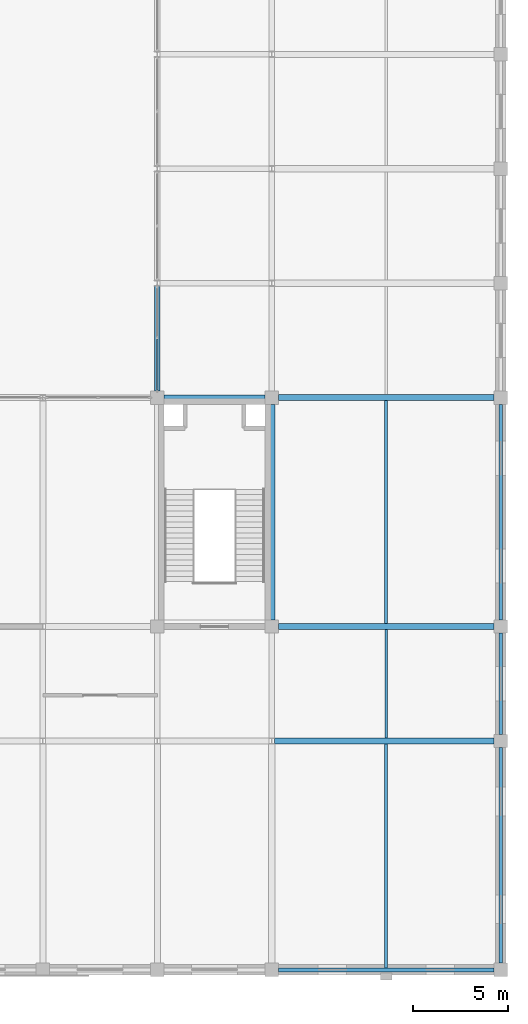
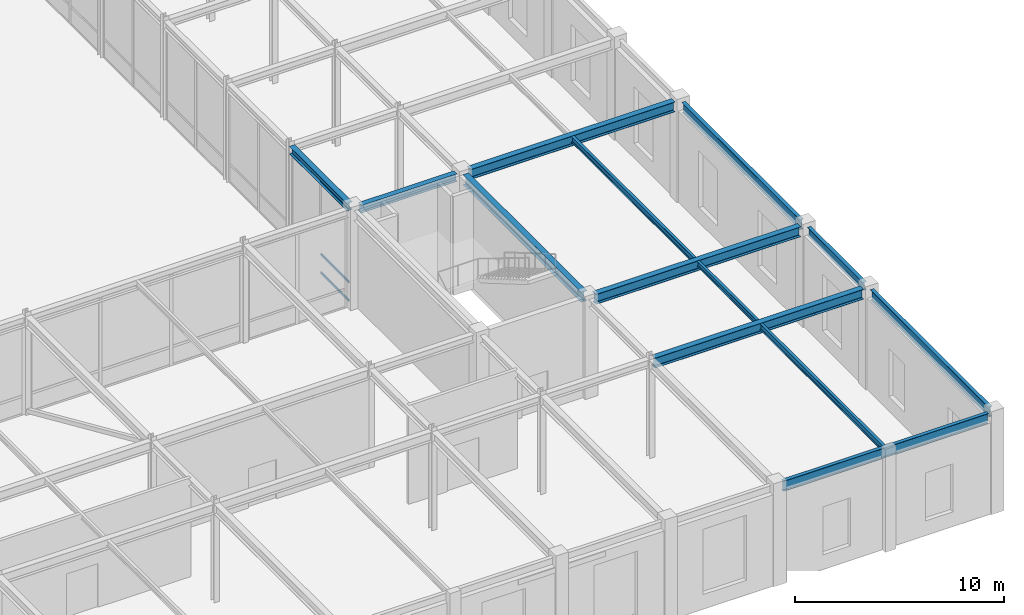
# One storey, part 84 of 108: 13 beams, 3 members, 1 element without a shape of its own.
"""IFC4 building model written with IfcOpenShell, lengths in metres."""

from ifc_helpers import new_model, si_unit, direction, frame, origin, origin_2d, place, context, subcontext, project, spatial, hollow_rectangle, i_section, extrude, material, layer, layer_set, material_profile, profile_set, type_object, element, aggregate, save


model = new_model("IFC4")

# Units and contexts
model_context = context("Model", 3, precision=1e-05, world=origin(), true_north=direction((0.0, 1.0)))
body_context = subcontext(model_context, "Body", "Model", "MODEL_VIEW")
ifc_project = project(units=[si_unit("LENGTHUNIT", "METRE"), si_unit("AREAUNIT", "SQUARE_METRE"), si_unit("VOLUMEUNIT", "CUBIC_METRE"), si_unit("PLANEANGLEUNIT", "RADIAN"), si_unit("MASSUNIT", "GRAM", prefix="KILO")], contexts=[model_context])

# Site, building, storey
site_placement = place(None, origin())
site = spatial("IfcSite", under=ifc_project, at=site_placement, CompositionType="ELEMENT")
building_placement = place(site_placement, origin())
building = spatial("IfcBuilding", under=site, at=building_placement, Name="Zlatovratsky Civic Hall", CompositionType="ELEMENT")
storey_placement = place(building_placement, frame((0.0, 0.0, 6.0)))
storey = spatial("IfcBuildingStorey", under=building, at=storey_placement, Name="L02", CompositionType="ELEMENT", Elevation=6.0)

# Beams
ifc_material_1 = material(Name="Steel S355", Category="steel")
ifc_material_profile_1 = material_profile(ifc_material_1, i_section(OverallWidth=0.320068359375, OverallDepth=0.58203125, WebThickness=0.011962890625, FlangeThickness=0.01708984375, FilletRadius=0.02392578125, at=origin_2d()), Name="60Sh1")
ifc_profile_set_1 = profile_set([ifc_material_profile_1], Name="Steel S355")
beam_type_1 = type_object("IfcBeamType", Name="Beam_PodiumGirder_60Sh1", PredefinedType="BEAM", material=ifc_profile_set_1)
beam_1_placement = place(storey_placement, frame((156.14990234375, 12.0, 5.468994140625), z_axis=(1.0, 0.0, 0.0), x_axis=(0.0, 1.0, 0.0)))
element("IfcBeam", 1, at=beam_1_placement, inside=storey, type_object=beam_type_1, Name="BM-1760", PredefinedType="BEAM", context=body_context, shape_type="SweptSolid", body=[
    extrude(i_section(OverallWidth=0.320068359375, OverallDepth=0.58203125, WebThickness=0.011962890625, FlangeThickness=0.01708984375, FilletRadius=0.02392578125, at=origin_2d()), origin(), (0.0, 0.0, 1.0), 11.5),
])
for number, where, z_axis, x_axis, name in (
    (2, (156.35009765625, 18.0, 5.468994140625), (1.0, 0.0, 0.0), (0.0, 1.0, 0.0), "BM-1782"),
    (3, (156.35009765625, 30.0, 5.468994140625), (1.0, 0.0, 0.0), (0.0, 1.0, 0.0), "BM-1800"),
    (4, (156.0, 18.35009765625, 5.468994140625), (0.0, 1.0, 0.0), (-1.0, 0.0, 0.0), "BM-2357"),
):
    element("IfcBeam", number, at=place(storey_placement, frame(where, z_axis=z_axis, x_axis=x_axis)), inside=storey, type_object=beam_type_1, Name=name, PredefinedType="BEAM", context=body_context, shape_type="SweptSolid", body=[
        extrude(i_section(OverallWidth=0.320068359375, OverallDepth=0.58203125, WebThickness=0.011962890625, FlangeThickness=0.01708984375, FilletRadius=0.02392578125, at=origin_2d()), origin(), (0.0, 0.0, 1.0), 11.2998046875),
    ])
ifc_material_profile_2 = material_profile(ifc_material_1, i_section(OverallWidth=0.198974609375, OverallDepth=0.491943359375, WebThickness=0.0087890625, FlangeThickness=0.011962890625, FilletRadius=0.01611328125, at=origin_2d()), Name="50B1")
ifc_profile_set_2 = profile_set([ifc_material_profile_2], Name="Steel S355")
beam_type_2 = type_object("IfcBeamType", Name="Beam_Spandrel_50B1", PredefinedType="SPANDREL", material=ifc_profile_set_2)
beam_2_placement = place(storey_placement, frame((168.0, 12.35009765625, 5.513916015625), z_axis=(0.0, 1.0, 0.0), x_axis=(-1.0, 0.0, 0.0)))
element("IfcBeam", 5, at=beam_2_placement, inside=storey, type_object=beam_type_2, Name="BM-2373", PredefinedType="SPANDREL", context=body_context, shape_type="SweptSolid", body=[
    extrude(i_section(OverallWidth=0.198974609375, OverallDepth=0.491943359375, WebThickness=0.0087890625, FlangeThickness=0.011962890625, FilletRadius=0.01611328125, at=origin_2d()), origin(), (0.0, 0.0, 1.0), 5.2998046875),
])
ifc_material_profile_3 = material_profile(ifc_material_1, i_section(OverallWidth=0.198974609375, OverallDepth=0.593017578125, WebThickness=0.010498046875, FlangeThickness=0.014892578125, FilletRadius=0.01806640625, at=origin_2d()), Name="60B1")
ifc_profile_set_3 = profile_set([ifc_material_profile_3], Name="Steel S355")
beam_type_3 = type_object("IfcBeamType", Name="Beam_Spandrel_60B1", PredefinedType="SPANDREL", material=ifc_profile_set_3)
for number, where, z_axis, x_axis, name in (
    (6, (156.35009765625, 0.0, 5.46337890625), (1.0, 0.0, 0.0), (0.0, 1.0, 0.0), "BM-1738"),
    (7, (168.0, 0.35009765625, 5.46337890625), (0.0, 1.0, 0.0), (-1.0, 0.0, 0.0), "BM-2372"),
    (8, (168.0, 18.35009765625, 5.46337890625), (0.0, 1.0, 0.0), (-1.0, 0.0, 0.0), "BM-2374"),
):
    element("IfcBeam", number, at=place(storey_placement, frame(where, z_axis=z_axis, x_axis=x_axis)), inside=storey, type_object=beam_type_3, Name=name, PredefinedType="SPANDREL", context=body_context, shape_type="SweptSolid", body=[
        extrude(i_section(OverallWidth=0.198974609375, OverallDepth=0.593017578125, WebThickness=0.010498046875, FlangeThickness=0.014892578125, FilletRadius=0.01806640625, at=origin_2d()), origin(), (0.0, 0.0, 1.0), 11.2998046875),
    ])
ifc_material_profile_4 = material_profile(ifc_material_1, i_section(OverallWidth=0.300048828125, OverallDepth=0.43994140625, WebThickness=0.010986328125, FlangeThickness=0.01806640625, FilletRadius=0.02197265625, at=origin_2d()), Name="45Sh1")
ifc_profile_set_4 = profile_set([ifc_material_profile_4], Name="Steel S355")
beam_type_4 = type_object("IfcBeamType", Name="Beam_TowerLow_45Sh1", PredefinedType="BEAM", material=ifc_profile_set_4)
beam_3_placement = place(storey_placement, frame((150.35009765625, 30.0, 5.5400390625), z_axis=(1.0, 0.0, 0.0), x_axis=(0.0, 1.0, 0.0)))
element("IfcBeam", 9, at=beam_3_placement, inside=storey, type_object=beam_type_4, Name="BM-1799", PredefinedType="BEAM", context=body_context, shape_type="SweptSolid", body=[
    extrude(i_section(OverallWidth=0.300048828125, OverallDepth=0.43994140625, WebThickness=0.010986328125, FlangeThickness=0.01806640625, FilletRadius=0.02197265625, at=origin_2d()), origin(), (0.0, 0.0, 1.0), 5.2998046875),
])
beam_4_placement = place(storey_placement, frame((150.0, 30.35009765625, 5.5400390625), z_axis=(0.0, 1.0, 0.0), x_axis=(-1.0, 0.0, 0.0)))
element("IfcBeam", 10, at=beam_4_placement, inside=storey, type_object=beam_type_4, Name="BM-2341", PredefinedType="BEAM", context=body_context, shape_type="SweptSolid", body=[
    extrude(i_section(OverallWidth=0.300048828125, OverallDepth=0.43994140625, WebThickness=0.010986328125, FlangeThickness=0.01806640625, FilletRadius=0.02197265625, at=origin_2d()), origin(), (0.0, 0.0, 1.0), 5.5),
])

# Curtain wall, members
ifc_material_2 = material(Name="Anodised bronze aluminium", Category="aluminium")
ifc_layer = layer(ifc_material_2, 0.159912109375)
ifc_layer_set = layer_set([ifc_layer], Name="Anodised bronze aluminium")
curtain_wall_type = type_object("IfcCurtainWallType", Name="CurtainWall_Bronze_5500x5310_04", PredefinedType="NOTDEFINED", material=ifc_layer_set)
curtain_wall_placement = place(storey_placement, origin())
curtain_wall = element("IfcCurtainWall", 11, at=curtain_wall_placement, inside=storey, type_object=curtain_wall_type, Name="CW-039", PredefinedType="NOTDEFINED")
ifc_material_profile_5 = material_profile(ifc_material_2, hollow_rectangle(XDim=0.06005859375, YDim=0.1201171875, WallThickness=0.00390625, at=origin_2d()), Name="ALU 60x120x4")
ifc_profile_set_5 = profile_set([ifc_material_profile_5], Name="Anodised bronze aluminium")
member_type = type_object("IfcMemberType", Name="CW_Transom_60x120", PredefinedType="USERDEFINED", material=ifc_profile_set_5)
member_1_placement = place(storey_placement, frame((150.0, 30.409912109375, 0.030029296875), z_axis=(0.0, 1.0, 0.0), x_axis=(-1.0, 0.0, 0.0)))
member_1 = element("IfcMember", 12, at=member_1_placement, type_object=member_type, Name="CW-04 transom 1.1", ObjectType="TRANSOM", PredefinedType="USERDEFINED", context=body_context, shape_type="SweptSolid", body=[
    extrude(hollow_rectangle(XDim=0.06005859375, YDim=0.1201171875, WallThickness=0.00390625, at=origin_2d()), origin(), (0.0, 0.0, 1.0), 2.66015625),
])
member_2_placement = place(storey_placement, frame((150.0, 30.409912109375, 1.10009765625), z_axis=(0.0, 1.0, 0.0), x_axis=(-1.0, 0.0, 0.0)))
member_2 = element("IfcMember", 13, at=member_2_placement, type_object=member_type, Name="CW-04 transom 1.2", ObjectType="TRANSOM", PredefinedType="USERDEFINED", context=body_context, shape_type="SweptSolid", body=[
    extrude(hollow_rectangle(XDim=0.06005859375, YDim=0.1201171875, WallThickness=0.00390625, at=origin_2d()), origin(), (0.0, 0.0, 1.0), 2.66015625),
])
member_3_placement = place(storey_placement, frame((150.0, 30.409912109375, 5.280029296875), z_axis=(0.0, 1.0, 0.0), x_axis=(-1.0, 0.0, 0.0)))
member_3 = element("IfcMember", 14, at=member_3_placement, type_object=member_type, Name="CW-04 transom 1.3", ObjectType="TRANSOM", PredefinedType="USERDEFINED", context=body_context, shape_type="SweptSolid", body=[
    extrude(hollow_rectangle(XDim=0.06005859375, YDim=0.1201171875, WallThickness=0.00390625, at=origin_2d()), origin(), (0.0, 0.0, 1.0), 2.66015625),
])
aggregate(curtain_wall, [member_1, member_2, member_3])

# Beams
ifc_material_profile_6 = material_profile(ifc_material_1, i_section(OverallWidth=0.14990234375, OverallDepth=0.300048828125, WebThickness=0.006591796875, FlangeThickness=0.009033203125, FilletRadius=0.012939453125, at=origin_2d()), Name="30B2")
ifc_profile_set_6 = profile_set([ifc_material_profile_6], Name="Steel S355")
beam_type_5 = type_object("IfcBeamType", Name="Joist_Podium_30B2", PredefinedType="JOIST", material=ifc_profile_set_6)
beam_5_placement = place(storey_placement, frame((162.0, 12.159912109375, 5.610107421875), z_axis=(0.0, 1.0, 0.0), x_axis=(-1.0, 0.0, 0.0)))
element("IfcBeam", 15, at=beam_5_placement, inside=storey, type_object=beam_type_5, Name="BM-2400", PredefinedType="JOIST", context=body_context, shape_type="SweptSolid", body=[
    extrude(i_section(OverallWidth=0.14990234375, OverallDepth=0.300048828125, WebThickness=0.006591796875, FlangeThickness=0.009033203125, FilletRadius=0.012939453125, at=origin_2d()), origin(), (0.0, 0.0, 1.0), 5.68017578125),
])
ifc_material_profile_7 = material_profile(ifc_material_1, i_section(OverallWidth=0.155029296875, OverallDepth=0.345947265625, WebThickness=0.006103515625, FlangeThickness=0.008544921875, FilletRadius=0.013916015625, at=origin_2d()), Name="35B1")
ifc_profile_set_7 = profile_set([ifc_material_profile_7], Name="Steel S355")
beam_type_6 = type_object("IfcBeamType", Name="Joist_Podium_35B1", PredefinedType="JOIST", material=ifc_profile_set_7)
beam_6_placement = place(storey_placement, frame((162.0, 0.099609375, 5.5869140625), z_axis=(0.0, 1.0, 0.0), x_axis=(-1.0, 0.0, 0.0)))
element("IfcBeam", 16, at=beam_6_placement, inside=storey, type_object=beam_type_6, Name="BM-2394", PredefinedType="JOIST", context=body_context, shape_type="SweptSolid", body=[
    extrude(i_section(OverallWidth=0.155029296875, OverallDepth=0.345947265625, WebThickness=0.006103515625, FlangeThickness=0.008544921875, FilletRadius=0.013916015625, at=origin_2d()), origin(), (0.0, 0.0, 1.0), 11.740478515625),
])
beam_7_placement = place(storey_placement, frame((162.0, 18.159912109375, 5.5869140625), z_axis=(0.0, 1.0, 0.0), x_axis=(-1.0, 0.0, 0.0)))
element("IfcBeam", 17, at=beam_7_placement, inside=storey, type_object=beam_type_6, Name="BM-2406", PredefinedType="JOIST", context=body_context, shape_type="SweptSolid", body=[
    extrude(i_section(OverallWidth=0.155029296875, OverallDepth=0.345947265625, WebThickness=0.006103515625, FlangeThickness=0.008544921875, FilletRadius=0.013916015625, at=origin_2d()), origin(), (0.0, 0.0, 1.0), 11.68017578125),
])

save(model, "model.ifc")
